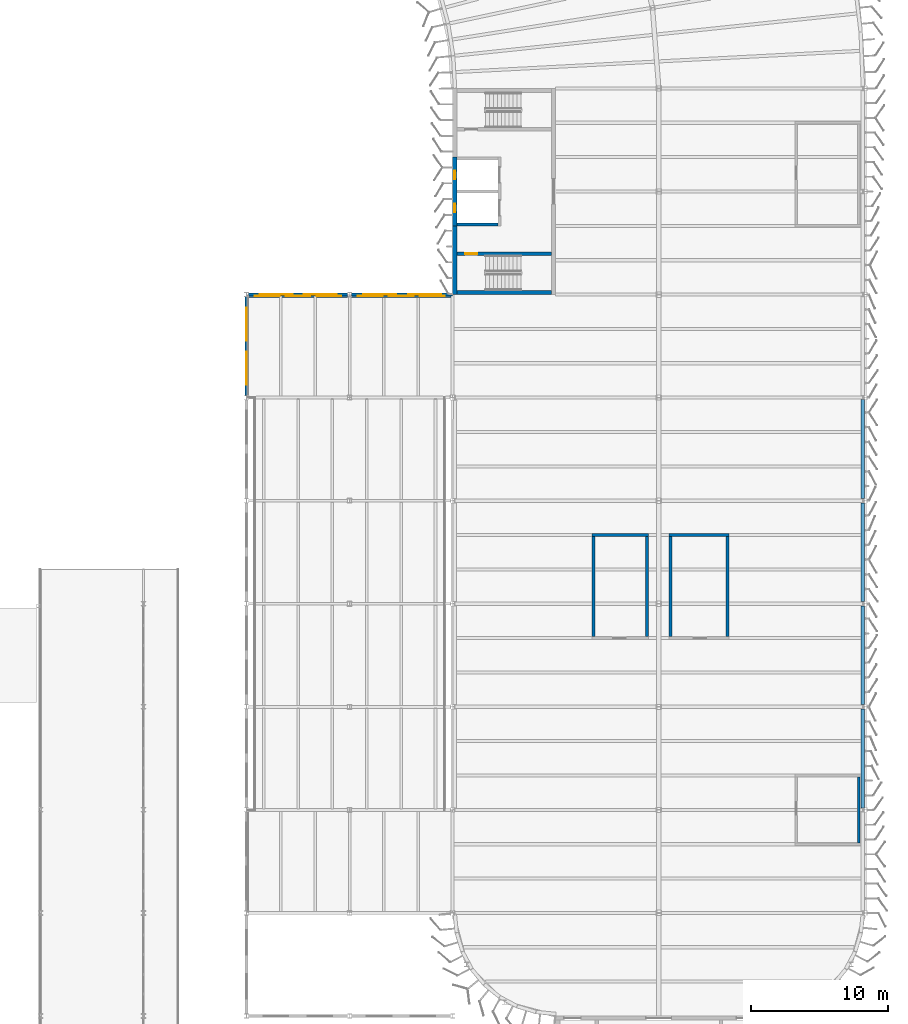
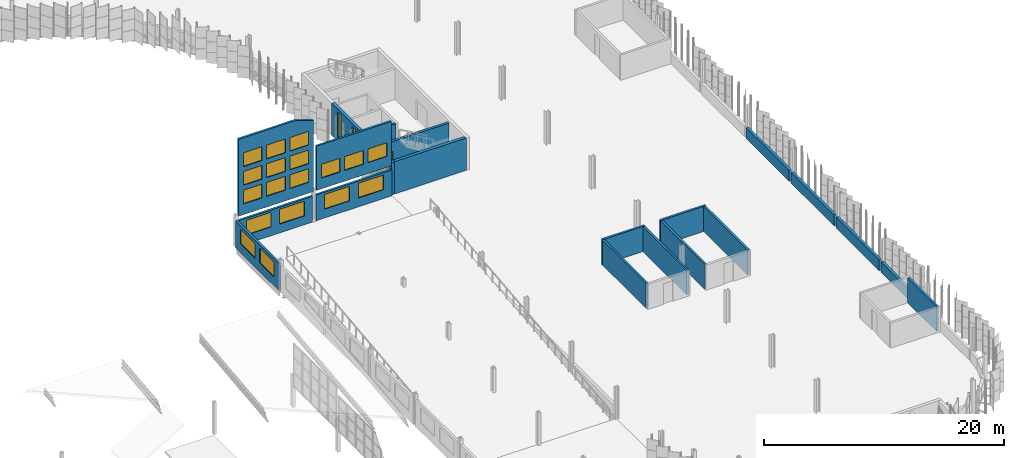
"""IFC4 building model written with IfcOpenShell, lengths in metres."""

from ifc_helpers import new_model, si_unit, direction, frame, frame_2d, origin, place, context, subcontext, project, spatial, polyline, rectangle, outline, extrude, material, layer, layer_set, type_object, element, fill, save


model = new_model("IFC4")

# Units and contexts
model_context = context("Model", 3, precision=1e-05, world=origin(), true_north=direction((0.0, 1.0)))
body_context = subcontext(model_context, "Body", "Model", "MODEL_VIEW")
ifc_project = project(units=[si_unit("LENGTHUNIT", "METRE"), si_unit("AREAUNIT", "SQUARE_METRE"), si_unit("VOLUMEUNIT", "CUBIC_METRE"), si_unit("PLANEANGLEUNIT", "RADIAN"), si_unit("MASSUNIT", "GRAM", prefix="KILO")], contexts=[model_context])

# Site, building, storey
site_placement = place(None, origin())
site = spatial("IfcSite", under=ifc_project, at=site_placement, CompositionType="ELEMENT")
building_placement = place(site_placement, origin())
building = spatial("IfcBuilding", under=site, at=building_placement, Name="Parallax Yard Mobility Hub", CompositionType="ELEMENT")
storey_1_placement = place(building_placement, frame((0.0, 0.0, 9.89990234375)))
storey_1 = spatial("IfcBuildingStorey", under=building, at=storey_1_placement, Name="L03", CompositionType="ELEMENT", Elevation=9.89990234375)

# Wall
ifc_material_1 = material(Name="Concrete fc' 35 MPa", Category="concrete")
ifc_layer_1 = layer(ifc_material_1, 0.300048828125)
ifc_layer_set_1 = layer_set([ifc_layer_1], Name="Concrete fc' 35 MPa core wall 300")
wall_type_1 = type_object("IfcWallType", Name="Concrete fc' 35 MPa core wall 300", PredefinedType="SHEAR", material=ifc_layer_set_1)
wall_1_placement = place(storey_1_placement, frame((195.14990234375, 75.0, 0.0), z_axis=(0.0, 0.0, 1.0), x_axis=(0.0, 1.0, 0.0)))
element("IfcWall", 1, at=wall_1_placement, inside=storey_1, type_object=wall_type_1, Name="Core C-E back wall part 1 level L03", PredefinedType="SHEAR", context=body_context, shape_type="SweptSolid", body=[
    extrude(rectangle(XDim=5.0, YDim=0.300048828125, at=frame_2d((2.5, 0.0))), origin(), (0.0, 0.0, 1.0), 3.300048828125),
])

# Wall, openings, windows
wall_2_placement = place(storey_1_placement, frame((195.14990234375, 80.0, 0.0), z_axis=(0.0, 0.0, 1.0), x_axis=(0.0, 1.0, 0.0)))
wall_2 = element("IfcWall", 2, at=wall_2_placement, inside=storey_1, type_object=wall_type_1, Name="Core C-E back wall part 2 level L03", PredefinedType="SHEAR", context=body_context, shape_type="SweptSolid", body=[
    extrude(rectangle(XDim=5.0, YDim=0.300048828125, at=frame_2d((2.5, 0.0))), origin(), (0.0, 0.0, 1.0), 3.300048828125),
])
opening_1_placement = place(wall_2_placement, frame((1.0, 0.0, 0.300048828125)))
opening_1 = element("IfcOpeningElement", 3, at=opening_1_placement, cuts=wall_2, Name="Opening CW-S1", PredefinedType="OPENING", context=body_context, shape_type="SweptSolid", body=[
    extrude(rectangle(XDim=0.60009765625, YDim=2.699951171875, at=frame_2d((0.300048828125, 1.35009765625))), frame((0.0, 0.16015625, 0.0), z_axis=(0.0, -1.0, 0.0), x_axis=(1.0, 0.0, 0.0)), (0.0, 0.0, 1.0), 0.320068359375),
])
opening_2_placement = place(wall_2_placement, frame((3.39990234375, 0.0, 0.300048828125)))
opening_2 = element("IfcOpeningElement", 4, at=opening_2_placement, cuts=wall_2, Name="Opening CW-S1", PredefinedType="OPENING", context=body_context, shape_type="SweptSolid", body=[
    extrude(rectangle(XDim=0.60009765625, YDim=2.699951171875, at=frame_2d((0.300048828125, 1.35009765625))), frame((0.0, 0.16015625, 0.0), z_axis=(0.0, -1.0, 0.0), x_axis=(1.0, 0.0, 0.0)), (0.0, 0.0, 1.0), 0.320068359375),
])
ifc_material_2 = material(Name="Fire-resisting glazing in a steel frame", Category="steel")
window_type_1 = type_object("IfcWindowType", Name="Core slot window 600 x 2700", PartitioningType="SINGLE_PANEL", PredefinedType="WINDOW", material=ifc_material_2)
window_1_placement = place(opening_1_placement, origin())
window_1 = element("IfcWindow", 5, at=window_1_placement, inside=storey_1, type_object=window_type_1, Name="Glazed slot 1, core C-E level L03", OverallHeight=2.699951171875, OverallWidth=0.60009765625, PartitioningType="SINGLE_PANEL", PredefinedType="WINDOW", context=body_context, shape_type="SweptSolid", body=[
    extrude(rectangle(XDim=0.60009765625, YDim=2.699951171875, at=frame_2d((0.300048828125, 1.35009765625))), frame((0.0, 0.030029296875, 0.0), z_axis=(0.0, -1.0, 0.0), x_axis=(1.0, 0.0, 0.0)), (0.0, 0.0, 1.0), 0.06005859375),
])
fill(opening_1, window_1)
window_2_placement = place(opening_2_placement, origin())
window_2 = element("IfcWindow", 6, at=window_2_placement, inside=storey_1, type_object=window_type_1, Name="Glazed slot 2, core C-E level L03", OverallHeight=2.699951171875, OverallWidth=0.60009765625, PartitioningType="SINGLE_PANEL", PredefinedType="WINDOW", context=body_context, shape_type="SweptSolid", body=[
    extrude(rectangle(XDim=0.60009765625, YDim=2.699951171875, at=frame_2d((0.300048828125, 1.35009765625))), frame((0.0, 0.030029296875, 0.0), z_axis=(0.0, -1.0, 0.0), x_axis=(1.0, 0.0, 0.0)), (0.0, 0.0, 1.0), 0.06005859375),
])
fill(opening_2, window_2)

# Walls
wall_3_placement = place(storey_1_placement, frame((202.199951171875, 75.14990234375, 0.0), z_axis=(0.0, 0.0, 1.0), x_axis=(-1.0, 0.0, 0.0)))
element("IfcWall", 7, at=wall_3_placement, inside=storey_1, type_object=wall_type_1, Name="Core C-E west-side end wall level L03", PredefinedType="SHEAR", context=body_context, shape_type="SweptSolid", body=[
    extrude(rectangle(XDim=6.89990234375, YDim=0.300048828125, at=frame_2d((3.449951171875, 0.0))), origin(), (0.0, 0.0, 1.0), 3.300048828125),
])
ifc_layer_2 = layer(ifc_material_1, 0.199951171875)
ifc_layer_set_2 = layer_set([ifc_layer_2], Name="Concrete fc' 35 MPa internal core wall 200")
wall_type_2 = type_object("IfcWallType", Name="Concrete fc' 35 MPa internal core wall 200", PredefinedType="STANDARD", material=ifc_layer_set_2)
wall_4_placement = place(storey_1_placement, frame((198.300048828125, 80.10009765625, 0.0), z_axis=(0.0, 0.0, 1.0), x_axis=(-1.0, 0.0, 0.0)))
element("IfcWall", 8, at=wall_4_placement, inside=storey_1, type_object=wall_type_2, Name="Core C-E lift wall 1 part 1 level L03", PredefinedType="STANDARD", context=body_context, shape_type="SweptSolid", body=[
    extrude(rectangle(XDim=3.0, YDim=0.199951171875, at=frame_2d((1.5, 0.0))), origin(), (0.0, 0.0, 1.0), 3.10009765625),
])

# Wall, opening, door
ifc_layer_3 = layer(ifc_material_1, 0.25)
ifc_layer_set_3 = layer_set([ifc_layer_3], Name="Concrete fc' 35 MPa stair enclosure wall 250")
wall_type_3 = type_object("IfcWallType", Name="Concrete fc' 35 MPa stair enclosure wall 250", PredefinedType="STANDARD", material=ifc_layer_set_3)
wall_5_placement = place(storey_1_placement, frame((202.199951171875, 77.97509765625, 0.0), z_axis=(0.0, 0.0, 1.0), x_axis=(-1.0, 0.0, 0.0)))
wall_5 = element("IfcWall", 9, at=wall_5_placement, inside=storey_1, type_object=wall_type_3, Name="Core C-E stair 1 partition level L03", PredefinedType="STANDARD", context=body_context, shape_type="SweptSolid", body=[
    extrude(rectangle(XDim=6.89990234375, YDim=0.25, at=frame_2d((3.449951171875, 0.0))), origin(), (0.0, 0.0, 1.0), 3.10009765625),
])
opening_3_placement = place(wall_5_placement, frame((5.39990234375, 0.0, 0.0)))
opening_3 = element("IfcOpeningElement", 10, at=opening_3_placement, cuts=wall_5, Name="Opening L03-D720", PredefinedType="OPENING", context=body_context, shape_type="SweptSolid", body=[
    extrude(rectangle(XDim=0.89990234375, YDim=2.10009765625, at=frame_2d((0.449951171875, 1.050048828125))), frame((0.0, 0.135009765625, 0.0), z_axis=(0.0, -1.0, 0.0), x_axis=(1.0, 0.0, 0.0)), (0.0, 0.0, 1.0), 0.27001953125),
])
ifc_material_3 = material(Name="Hollow metal steel door and frame", Category="steel")
door_type = type_object("IfcDoorType", Name="Core door 900 x 2100 FD90", OperationType="NOTDEFINED", PredefinedType="DOOR", material=ifc_material_3)
door_placement = place(opening_3_placement, origin())
door = element("IfcDoor", 11, at=door_placement, inside=storey_1, type_object=door_type, Name="Stair lobby door L03-D720, core C-E level L03", OperationType="SINGLE_SWING_LEFT", OverallHeight=2.10009765625, OverallWidth=0.89990234375, PredefinedType="DOOR", context=body_context, shape_type="SweptSolid", body=[
    extrude(rectangle(XDim=0.89990234375, YDim=2.10009765625, at=frame_2d((0.449951171875, 1.050048828125))), frame((0.0, 0.02490234375, 0.0), z_axis=(0.0, -1.0, 0.0), x_axis=(1.0, 0.0, 0.0)), (0.0, 0.0, 1.0), 0.050048828125),
])
fill(opening_3, door)

# Walls
ifc_layer_4 = layer(ifc_material_1, 0.25)
ifc_layer_set_4 = layer_set([ifc_layer_4], Name="Deck-edge barrier wall, Concrete fc' 35 MPa precast, 250")
wall_type_4 = type_object("IfcWallType", Name="Deck-edge barrier wall, Concrete fc' 35 MPa precast, 250", PredefinedType="SOLIDWALL", material=ifc_layer_set_4)
for number, where, z_axis, x_axis, name in (
    (12, (224.854248046875, 37.651611328125, 0.0), (0.0, 0.0, 1.0), (0.0, 1.0, 0.0), "Deck-edge barrier wall bay 34 level L03"),
    (13, (224.854248046875, 45.151611328125, 0.0), (0.0, 0.0, 1.0), (0.0, 1.0, 0.0), "Deck-edge barrier wall bay 35 level L03"),
    (14, (224.854248046875, 52.651611328125, 0.0), (0.0, 0.0, 1.0), (0.0, 1.0, 0.0), "Deck-edge barrier wall bay 36 level L03"),
    (15, (224.854248046875, 60.151611328125, 0.0), (0.0, 0.0, 1.0), (0.0, 1.0, 0.0), "Deck-edge barrier wall bay 37 level L03"),
):
    element("IfcWall", number, at=place(storey_1_placement, frame(where, z_axis=z_axis, x_axis=x_axis)), inside=storey_1, type_object=wall_type_4, Name=name, PredefinedType="SOLIDWALL", context=body_context, shape_type="SweptSolid", body=[
        extrude(rectangle(XDim=7.19677734375, YDim=0.25, at=frame_2d((3.598388671875, 0.0))), origin(), (0.0, 0.0, 1.0), 1.10009765625),
    ])
ifc_material_4 = material(Name="Fire-rated plasterboard partition, two layers each side")
ifc_layer_5 = layer(ifc_material_4, 0.199951171875)
ifc_layer_set_5 = layer_set([ifc_layer_5], Name="Fire-rated partition 200 mm")
wall_type_5 = type_object("IfcWallType", Name="Fire-rated partition 200 mm", PredefinedType="PARTITIONING", material=ifc_layer_set_5)
wall_6_placement = place(storey_1_placement, frame((205.14990234375, 57.5, 0.0), z_axis=(0.0, 0.0, 1.0), x_axis=(1.0, 0.0, 0.0)))
element("IfcWall", 16, at=wall_6_placement, inside=storey_1, type_object=wall_type_5, Name="Partition 13 level L03", PredefinedType="PARTITIONING", context=body_context, shape_type="SweptSolid", body=[
    extrude(rectangle(XDim=4.10009765625, YDim=0.199951171875, at=frame_2d((2.050048828125, 0.0))), origin(), (0.0, 0.0, 1.0), 2.55810546875),
])
wall_7_placement = place(storey_1_placement, frame((210.75, 57.5, 0.0), z_axis=(0.0, 0.0, 1.0), x_axis=(1.0, 0.0, 0.0)))
element("IfcWall", 17, at=wall_7_placement, inside=storey_1, type_object=wall_type_5, Name="Partition 14 level L03", PredefinedType="PARTITIONING", context=body_context, shape_type="SweptSolid", body=[
    extrude(rectangle(XDim=4.35009765625, YDim=0.199951171875, at=frame_2d((2.175048828125, 0.0))), origin(), (0.0, 0.0, 1.0), 2.55810546875),
])
for number, where, z_axis, x_axis, name in (
    (18, (205.25, 50.10009765625, 0.0), (0.0, 0.0, 1.0), (0.0, 1.0, 0.0), "Partition 42 level L03"),
    (19, (209.14990234375, 50.10009765625, 0.0), (0.0, 0.0, 1.0), (0.0, 1.0, 0.0), "Partition 43 level L03"),
    (20, (210.85009765625, 50.10009765625, 0.0), (0.0, 0.0, 1.0), (0.0, 1.0, 0.0), "Partition 44 level L03"),
    (21, (215.0, 50.10009765625, 0.0), (0.0, 0.0, 1.0), (0.0, 1.0, 0.0), "Partition 45 level L03"),
):
    element("IfcWall", number, at=place(storey_1_placement, frame(where, z_axis=z_axis, x_axis=x_axis)), inside=storey_1, type_object=wall_type_5, Name=name, PredefinedType="PARTITIONING", context=body_context, shape_type="SweptSolid", body=[
        extrude(rectangle(XDim=7.2998046875, YDim=0.199951171875, at=frame_2d((3.64990234375, 0.0))), origin(), (0.0, 0.0, 1.0), 2.548095703125),
    ])
wall_8_placement = place(storey_1_placement, frame((224.550048828125, 35.10009765625, 0.0), z_axis=(0.0, 0.0, 1.0), x_axis=(0.0, 1.0, 0.0)))
element("IfcWall", 22, at=wall_8_placement, inside=storey_1, type_object=wall_type_5, Name="Partition 48 level L03", PredefinedType="PARTITIONING", context=body_context, shape_type="SweptSolid", body=[
    extrude(rectangle(XDim=4.7998046875, YDim=0.199951171875, at=frame_2d((2.39990234375, 0.0))), origin(), (0.0, 0.0, 1.0), 2.548095703125),
])

# Wall, openings, windows
ifc_layer_6 = layer(ifc_material_1, 0.199951171875)
ifc_layer_set_6 = layer_set([ifc_layer_6], Name="Louvre screen wall, Concrete fc' 35 MPa precast, 200")
wall_type_6 = type_object("IfcWallType", Name="Louvre screen wall, Concrete fc' 35 MPa precast, 200", PredefinedType="SOLIDWALL", material=ifc_layer_set_6)
wall_9_placement = place(storey_1_placement, frame((180.0, 67.653564453125, 0.0), z_axis=(0.0, 0.0, 1.0), x_axis=(0.0, 1.0, 0.0)))
wall_9 = element("IfcWall", 23, at=wall_9_placement, inside=storey_1, type_object=wall_type_6, Name="Ramp house west wall bay 7 level L03", PredefinedType="SOLIDWALL", context=body_context, shape_type="SweptSolid", body=[
    extrude(rectangle(XDim=7.19287109375, YDim=0.199951171875, at=frame_2d((3.596435546875, 0.0))), origin(), (0.0, 0.0, 1.0), 2.754150390625),
])
opening_4_placement = place(wall_9_placement, frame((0.797607421875, 0.0, 0.89990234375)))
opening_4 = element("IfcOpeningElement", 24, at=opening_4_placement, cuts=wall_9, Name="Opening W1", PredefinedType="OPENING", context=body_context, shape_type="SweptSolid", body=[
    extrude(rectangle(XDim=2.39990234375, YDim=1.5, at=frame_2d((1.199951171875, 0.75))), frame((0.0, 0.10986328125, 0.0), z_axis=(0.0, -1.0, 0.0), x_axis=(1.0, 0.0, 0.0)), (0.0, 0.0, 1.0), 0.219970703125),
])
opening_5_placement = place(wall_9_placement, frame((3.995361328125, 0.0, 0.89990234375)))
opening_5 = element("IfcOpeningElement", 25, at=opening_5_placement, cuts=wall_9, Name="Opening W1", PredefinedType="OPENING", context=body_context, shape_type="SweptSolid", body=[
    extrude(rectangle(XDim=2.39990234375, YDim=1.5, at=frame_2d((1.199951171875, 0.75))), frame((0.0, 0.10986328125, 0.0), z_axis=(0.0, -1.0, 0.0), x_axis=(1.0, 0.0, 0.0)), (0.0, 0.0, 1.0), 0.219970703125),
])
ifc_material_5 = material(Name="Double glazed low-E unit in thermally broken aluminium frame", Category="aluminium")
window_type_2 = type_object("IfcWindowType", Name="Window 2400 x 1500", PartitioningType="DOUBLE_PANEL_VERTICAL", PredefinedType="WINDOW", material=ifc_material_5)
window_3_placement = place(opening_4_placement, origin())
window_3 = element("IfcWindow", 26, at=window_3_placement, inside=storey_1, type_object=window_type_2, Name="Window W1 level L03", OverallHeight=1.5, OverallWidth=2.39990234375, PartitioningType="DOUBLE_PANEL_VERTICAL", PredefinedType="WINDOW", context=body_context, shape_type="SweptSolid", body=[
    extrude(rectangle(XDim=2.39990234375, YDim=1.5, at=frame_2d((1.199951171875, 0.75))), frame((0.0, 0.030029296875, 0.0), z_axis=(0.0, -1.0, 0.0), x_axis=(1.0, 0.0, 0.0)), (0.0, 0.0, 1.0), 0.06005859375),
])
fill(opening_4, window_3)
window_4_placement = place(opening_5_placement, origin())
window_4 = element("IfcWindow", 27, at=window_4_placement, inside=storey_1, type_object=window_type_2, Name="Window W1 level L03", OverallHeight=1.5, OverallWidth=2.39990234375, PartitioningType="DOUBLE_PANEL_VERTICAL", PredefinedType="WINDOW", context=body_context, shape_type="SweptSolid", body=[
    extrude(rectangle(XDim=2.39990234375, YDim=1.5, at=frame_2d((1.199951171875, 0.75))), frame((0.0, 0.030029296875, 0.0), z_axis=(0.0, -1.0, 0.0), x_axis=(1.0, 0.0, 0.0)), (0.0, 0.0, 1.0), 0.06005859375),
])
fill(opening_5, window_4)

wall_10_placement = place(storey_1_placement, frame((180.153564453125, 75.0, 0.0), z_axis=(0.0, 0.0, 1.0), x_axis=(1.0, 0.0, 0.0)))
wall_10 = element("IfcWall", 28, at=wall_10_placement, inside=storey_1, type_object=wall_type_6, Name="Ramp house north wall bay 1 level L03", PredefinedType="SOLIDWALL", context=body_context, shape_type="SweptSolid", body=[
    extrude(rectangle(XDim=7.19287109375, YDim=0.199951171875, at=frame_2d((3.596435546875, 0.0))), origin(), (0.0, 0.0, 1.0), 2.627197265625),
])
opening_6_placement = place(wall_10_placement, frame((0.797607421875, 0.0, 0.89990234375)))
opening_6 = element("IfcOpeningElement", 29, at=opening_6_placement, cuts=wall_10, Name="Opening W1", PredefinedType="OPENING", context=body_context, shape_type="SweptSolid", body=[
    extrude(rectangle(XDim=2.39990234375, YDim=1.5, at=frame_2d((1.199951171875, 0.75))), frame((0.0, 0.10986328125, 0.0), z_axis=(0.0, -1.0, 0.0), x_axis=(1.0, 0.0, 0.0)), (0.0, 0.0, 1.0), 0.219970703125),
])
opening_7_placement = place(wall_10_placement, frame((3.995361328125, 0.0, 0.89990234375)))
opening_7 = element("IfcOpeningElement", 30, at=opening_7_placement, cuts=wall_10, Name="Opening W1", PredefinedType="OPENING", context=body_context, shape_type="SweptSolid", body=[
    extrude(rectangle(XDim=2.39990234375, YDim=1.5, at=frame_2d((1.199951171875, 0.75))), frame((0.0, 0.10986328125, 0.0), z_axis=(0.0, -1.0, 0.0), x_axis=(1.0, 0.0, 0.0)), (0.0, 0.0, 1.0), 0.219970703125),
])
window_5_placement = place(opening_6_placement, origin())
window_5 = element("IfcWindow", 31, at=window_5_placement, inside=storey_1, type_object=window_type_2, Name="Window W1 level L03", OverallHeight=1.5, OverallWidth=2.39990234375, PartitioningType="DOUBLE_PANEL_VERTICAL", PredefinedType="WINDOW", context=body_context, shape_type="SweptSolid", body=[
    extrude(rectangle(XDim=2.39990234375, YDim=1.5, at=frame_2d((1.199951171875, 0.75))), frame((0.0, 0.030029296875, 0.0), z_axis=(0.0, -1.0, 0.0), x_axis=(1.0, 0.0, 0.0)), (0.0, 0.0, 1.0), 0.06005859375),
])
fill(opening_6, window_5)
window_6_placement = place(opening_7_placement, origin())
window_6 = element("IfcWindow", 32, at=window_6_placement, inside=storey_1, type_object=window_type_2, Name="Window W1 level L03", OverallHeight=1.5, OverallWidth=2.39990234375, PartitioningType="DOUBLE_PANEL_VERTICAL", PredefinedType="WINDOW", context=body_context, shape_type="SweptSolid", body=[
    extrude(rectangle(XDim=2.39990234375, YDim=1.5, at=frame_2d((1.199951171875, 0.75))), frame((0.0, 0.030029296875, 0.0), z_axis=(0.0, -1.0, 0.0), x_axis=(1.0, 0.0, 0.0)), (0.0, 0.0, 1.0), 0.06005859375),
])
fill(opening_7, window_6)

wall_11_placement = place(storey_1_placement, frame((187.653564453125, 75.0, 0.0), z_axis=(0.0, 0.0, 1.0), x_axis=(1.0, 0.0, 0.0)))
wall_11 = element("IfcWall", 33, at=wall_11_placement, inside=storey_1, type_object=wall_type_6, Name="Ramp house north wall bay 2 level L03", PredefinedType="SOLIDWALL", context=body_context, shape_type="SweptSolid", body=[
    extrude(rectangle(XDim=7.346435546875, YDim=0.199951171875, at=frame_2d((3.67333984375, 0.0))), origin(), (0.0, 0.0, 1.0), 2.627197265625),
])
opening_8_placement = place(wall_11_placement, frame((0.848876953125, 0.0, 0.89990234375)))
opening_8 = element("IfcOpeningElement", 34, at=opening_8_placement, cuts=wall_11, Name="Opening W1", PredefinedType="OPENING", context=body_context, shape_type="SweptSolid", body=[
    extrude(rectangle(XDim=2.39990234375, YDim=1.5, at=frame_2d((1.199951171875, 0.75))), frame((0.0, 0.10986328125, 0.0), z_axis=(0.0, -1.0, 0.0), x_axis=(1.0, 0.0, 0.0)), (0.0, 0.0, 1.0), 0.219970703125),
])
opening_9_placement = place(wall_11_placement, frame((4.09765625, 0.0, 0.89990234375)))
opening_9 = element("IfcOpeningElement", 35, at=opening_9_placement, cuts=wall_11, Name="Opening W1", PredefinedType="OPENING", context=body_context, shape_type="SweptSolid", body=[
    extrude(rectangle(XDim=2.39990234375, YDim=1.5, at=frame_2d((1.199951171875, 0.75))), frame((0.0, 0.10986328125, 0.0), z_axis=(0.0, -1.0, 0.0), x_axis=(1.0, 0.0, 0.0)), (0.0, 0.0, 1.0), 0.219970703125),
])
window_7_placement = place(opening_8_placement, origin())
window_7 = element("IfcWindow", 36, at=window_7_placement, inside=storey_1, type_object=window_type_2, Name="Window W1 level L03", OverallHeight=1.5, OverallWidth=2.39990234375, PartitioningType="DOUBLE_PANEL_VERTICAL", PredefinedType="WINDOW", context=body_context, shape_type="SweptSolid", body=[
    extrude(rectangle(XDim=2.39990234375, YDim=1.5, at=frame_2d((1.199951171875, 0.75))), frame((0.0, 0.030029296875, 0.0), z_axis=(0.0, -1.0, 0.0), x_axis=(1.0, 0.0, 0.0)), (0.0, 0.0, 1.0), 0.06005859375),
])
fill(opening_8, window_7)
window_8_placement = place(opening_9_placement, origin())
window_8 = element("IfcWindow", 37, at=window_8_placement, inside=storey_1, type_object=window_type_2, Name="Window W1 level L03", OverallHeight=1.5, OverallWidth=2.39990234375, PartitioningType="DOUBLE_PANEL_VERTICAL", PredefinedType="WINDOW", context=body_context, shape_type="SweptSolid", body=[
    extrude(rectangle(XDim=2.39990234375, YDim=1.5, at=frame_2d((1.199951171875, 0.75))), frame((0.0, 0.030029296875, 0.0), z_axis=(0.0, -1.0, 0.0), x_axis=(1.0, 0.0, 0.0)), (0.0, 0.0, 1.0), 0.06005859375),
])
fill(opening_9, window_8)

# Wall, openings
wall_12_placement = place(storey_1_placement, frame((180.153564453125, 74.889892578125, 3.16015625), z_axis=(0.0, 0.0, 1.0), x_axis=(1.0, 0.0, 0.0)))
wall_12 = element("IfcWall", 38, at=wall_12_placement, inside=storey_1, type_object=wall_type_6, Name="Ramp house north end wall bay 1 level L04", PredefinedType="SOLIDWALL", context=body_context, shape_type="SweptSolid", body=[
    extrude(outline(polyline([(0.0, 0.0), (7.19287109375, 0.0), (7.193115234375, 7.266845703125), (6.945068359375, 7.349609375), (6.200927734375, 7.59765625), (5.952880859375, 7.68017578125), (5.456787109375, 7.845703125), (5.208740234375, 7.847412109375), (0.0, 7.847412109375), (0.0, 0.0)])), frame((0.0, 0.10009765625, 0.0), z_axis=(0.0, -1.0, 0.0), x_axis=(1.0, 0.0, 0.0)), (0.0, 0.0, 1.0), 0.199951171875),
])
opening_10_placement = place(wall_12_placement, frame((0.4482421875, 0.0, 1.10009765625)))
opening_10 = element("IfcOpeningElement", 39, at=opening_10_placement, cuts=wall_12, Name="Opening LV2", PredefinedType="OPENING", context=body_context, shape_type="SweptSolid", body=[
    extrude(rectangle(XDim=1.800048828125, YDim=1.39990234375, at=frame_2d((0.89990234375, 0.699951171875))), frame((0.0, 0.10986328125, 0.0), z_axis=(0.0, -1.0, 0.0), x_axis=(1.0, 0.0, 0.0)), (0.0, 0.0, 1.0), 0.219970703125),
])
opening_11_placement = place(wall_12_placement, frame((2.696533203125, 0.0, 1.10009765625)))
opening_11 = element("IfcOpeningElement", 40, at=opening_11_placement, cuts=wall_12, Name="Opening LV2", PredefinedType="OPENING", context=body_context, shape_type="SweptSolid", body=[
    extrude(rectangle(XDim=1.800048828125, YDim=1.39990234375, at=frame_2d((0.89990234375, 0.699951171875))), frame((0.0, 0.10986328125, 0.0), z_axis=(0.0, -1.0, 0.0), x_axis=(1.0, 0.0, 0.0)), (0.0, 0.0, 1.0), 0.219970703125),
])
opening_12_placement = place(wall_12_placement, frame((4.944580078125, 0.0, 1.10009765625)))
opening_12 = element("IfcOpeningElement", 41, at=opening_12_placement, cuts=wall_12, Name="Opening LV2", PredefinedType="OPENING", context=body_context, shape_type="SweptSolid", body=[
    extrude(rectangle(XDim=1.800048828125, YDim=1.39990234375, at=frame_2d((0.89990234375, 0.699951171875))), frame((0.0, 0.10986328125, 0.0), z_axis=(0.0, -1.0, 0.0), x_axis=(1.0, 0.0, 0.0)), (0.0, 0.0, 1.0), 0.219970703125),
])
opening_13_placement = place(wall_12_placement, frame((0.4482421875, 0.0, 3.0)))
opening_13 = element("IfcOpeningElement", 42, at=opening_13_placement, cuts=wall_12, Name="Opening LV2", PredefinedType="OPENING", context=body_context, shape_type="SweptSolid", body=[
    extrude(rectangle(XDim=1.800048828125, YDim=1.39990234375, at=frame_2d((0.89990234375, 0.699951171875))), frame((0.0, 0.10986328125, 0.0), z_axis=(0.0, -1.0, 0.0), x_axis=(1.0, 0.0, 0.0)), (0.0, 0.0, 1.0), 0.219970703125),
])
opening_14_placement = place(wall_12_placement, frame((2.696533203125, 0.0, 3.0)))
opening_14 = element("IfcOpeningElement", 43, at=opening_14_placement, cuts=wall_12, Name="Opening LV2", PredefinedType="OPENING", context=body_context, shape_type="SweptSolid", body=[
    extrude(rectangle(XDim=1.800048828125, YDim=1.39990234375, at=frame_2d((0.89990234375, 0.699951171875))), frame((0.0, 0.10986328125, 0.0), z_axis=(0.0, -1.0, 0.0), x_axis=(1.0, 0.0, 0.0)), (0.0, 0.0, 1.0), 0.219970703125),
])
opening_15_placement = place(wall_12_placement, frame((4.944580078125, 0.0, 3.0)))
opening_15 = element("IfcOpeningElement", 44, at=opening_15_placement, cuts=wall_12, Name="Opening LV2", PredefinedType="OPENING", context=body_context, shape_type="SweptSolid", body=[
    extrude(rectangle(XDim=1.800048828125, YDim=1.39990234375, at=frame_2d((0.89990234375, 0.699951171875))), frame((0.0, 0.10986328125, 0.0), z_axis=(0.0, -1.0, 0.0), x_axis=(1.0, 0.0, 0.0)), (0.0, 0.0, 1.0), 0.219970703125),
])
opening_16_placement = place(wall_12_placement, frame((0.4482421875, 0.0, 4.89990234375)))
opening_16 = element("IfcOpeningElement", 45, at=opening_16_placement, cuts=wall_12, Name="Opening LV2", PredefinedType="OPENING", context=body_context, shape_type="SweptSolid", body=[
    extrude(rectangle(XDim=1.800048828125, YDim=1.39990234375, at=frame_2d((0.89990234375, 0.699951171875))), frame((0.0, 0.10986328125, 0.0), z_axis=(0.0, -1.0, 0.0), x_axis=(1.0, 0.0, 0.0)), (0.0, 0.0, 1.0), 0.219970703125),
])
opening_17_placement = place(wall_12_placement, frame((2.696533203125, 0.0, 4.89990234375)))
opening_17 = element("IfcOpeningElement", 46, at=opening_17_placement, cuts=wall_12, Name="Opening LV2", PredefinedType="OPENING", context=body_context, shape_type="SweptSolid", body=[
    extrude(rectangle(XDim=1.800048828125, YDim=1.39990234375, at=frame_2d((0.89990234375, 0.699951171875))), frame((0.0, 0.10986328125, 0.0), z_axis=(0.0, -1.0, 0.0), x_axis=(1.0, 0.0, 0.0)), (0.0, 0.0, 1.0), 0.219970703125),
])
opening_18_placement = place(wall_12_placement, frame((4.944580078125, 0.0, 4.89990234375)))
opening_18 = element("IfcOpeningElement", 47, at=opening_18_placement, cuts=wall_12, Name="Opening LV2", PredefinedType="OPENING", context=body_context, shape_type="SweptSolid", body=[
    extrude(rectangle(XDim=1.800048828125, YDim=1.39990234375, at=frame_2d((0.89990234375, 0.699951171875))), frame((0.0, 0.10986328125, 0.0), z_axis=(0.0, -1.0, 0.0), x_axis=(1.0, 0.0, 0.0)), (0.0, 0.0, 1.0), 0.219970703125),
])

# Storey
storey_2_placement = place(building_placement, frame((0.0, 0.0, 13.199951171875)))
storey_2 = spatial("IfcBuildingStorey", under=building, at=storey_2_placement, Name="L04", CompositionType="ELEMENT", Elevation=13.199951171875)

# Window
ifc_material_6 = material(Name="Extruded aluminium storm louvre blades in a powder-coated frame", Category="aluminium")
window_type_3 = type_object("IfcWindowType", Name="Screen louvre 1800 x 1400", PartitioningType="SINGLE_PANEL", PredefinedType="WINDOW", material=ifc_material_6)
window_9_placement = place(opening_10_placement, origin())
window_9 = element("IfcWindow", 48, at=window_9_placement, inside=storey_2, type_object=window_type_3, Name="LV2 louvre level L04", OverallHeight=1.39990234375, OverallWidth=1.800048828125, PartitioningType="SINGLE_PANEL", PredefinedType="WINDOW", context=body_context, shape_type="SweptSolid", body=[
    extrude(rectangle(XDim=1.800048828125, YDim=1.39990234375, at=frame_2d((0.89990234375, 0.699951171875))), frame((0.0, 0.030029296875, 0.0), z_axis=(0.0, -1.0, 0.0), x_axis=(1.0, 0.0, 0.0)), (0.0, 0.0, 1.0), 0.06005859375),
])

fill(opening_10, window_9)

window_10_placement = place(opening_11_placement, origin())
window_10 = element("IfcWindow", 49, at=window_10_placement, inside=storey_2, type_object=window_type_3, Name="LV2 louvre level L04", OverallHeight=1.39990234375, OverallWidth=1.800048828125, PartitioningType="SINGLE_PANEL", PredefinedType="WINDOW", context=body_context, shape_type="SweptSolid", body=[
    extrude(rectangle(XDim=1.800048828125, YDim=1.39990234375, at=frame_2d((0.89990234375, 0.699951171875))), frame((0.0, 0.030029296875, 0.0), z_axis=(0.0, -1.0, 0.0), x_axis=(1.0, 0.0, 0.0)), (0.0, 0.0, 1.0), 0.06005859375),
])

fill(opening_11, window_10)

window_11_placement = place(opening_12_placement, origin())
window_11 = element("IfcWindow", 50, at=window_11_placement, inside=storey_2, type_object=window_type_3, Name="LV2 louvre level L04", OverallHeight=1.39990234375, OverallWidth=1.800048828125, PartitioningType="SINGLE_PANEL", PredefinedType="WINDOW", context=body_context, shape_type="SweptSolid", body=[
    extrude(rectangle(XDim=1.800048828125, YDim=1.39990234375, at=frame_2d((0.89990234375, 0.699951171875))), frame((0.0, 0.030029296875, 0.0), z_axis=(0.0, -1.0, 0.0), x_axis=(1.0, 0.0, 0.0)), (0.0, 0.0, 1.0), 0.06005859375),
])

fill(opening_12, window_11)

window_12_placement = place(opening_13_placement, origin())
window_12 = element("IfcWindow", 51, at=window_12_placement, inside=storey_2, type_object=window_type_3, Name="LV2 louvre level L04", OverallHeight=1.39990234375, OverallWidth=1.800048828125, PartitioningType="SINGLE_PANEL", PredefinedType="WINDOW", context=body_context, shape_type="SweptSolid", body=[
    extrude(rectangle(XDim=1.800048828125, YDim=1.39990234375, at=frame_2d((0.89990234375, 0.699951171875))), frame((0.0, 0.030029296875, 0.0), z_axis=(0.0, -1.0, 0.0), x_axis=(1.0, 0.0, 0.0)), (0.0, 0.0, 1.0), 0.06005859375),
])

fill(opening_13, window_12)

window_13_placement = place(opening_14_placement, origin())
window_13 = element("IfcWindow", 52, at=window_13_placement, inside=storey_2, type_object=window_type_3, Name="LV2 louvre level L04", OverallHeight=1.39990234375, OverallWidth=1.800048828125, PartitioningType="SINGLE_PANEL", PredefinedType="WINDOW", context=body_context, shape_type="SweptSolid", body=[
    extrude(rectangle(XDim=1.800048828125, YDim=1.39990234375, at=frame_2d((0.89990234375, 0.699951171875))), frame((0.0, 0.030029296875, 0.0), z_axis=(0.0, -1.0, 0.0), x_axis=(1.0, 0.0, 0.0)), (0.0, 0.0, 1.0), 0.06005859375),
])

fill(opening_14, window_13)

window_14_placement = place(opening_15_placement, origin())
window_14 = element("IfcWindow", 53, at=window_14_placement, inside=storey_2, type_object=window_type_3, Name="LV2 louvre level L04", OverallHeight=1.39990234375, OverallWidth=1.800048828125, PartitioningType="SINGLE_PANEL", PredefinedType="WINDOW", context=body_context, shape_type="SweptSolid", body=[
    extrude(rectangle(XDim=1.800048828125, YDim=1.39990234375, at=frame_2d((0.89990234375, 0.699951171875))), frame((0.0, 0.030029296875, 0.0), z_axis=(0.0, -1.0, 0.0), x_axis=(1.0, 0.0, 0.0)), (0.0, 0.0, 1.0), 0.06005859375),
])

fill(opening_15, window_14)

window_15_placement = place(opening_16_placement, origin())
window_15 = element("IfcWindow", 54, at=window_15_placement, inside=storey_2, type_object=window_type_3, Name="LV2 louvre level L04", OverallHeight=1.39990234375, OverallWidth=1.800048828125, PartitioningType="SINGLE_PANEL", PredefinedType="WINDOW", context=body_context, shape_type="SweptSolid", body=[
    extrude(rectangle(XDim=1.800048828125, YDim=1.39990234375, at=frame_2d((0.89990234375, 0.699951171875))), frame((0.0, 0.030029296875, 0.0), z_axis=(0.0, -1.0, 0.0), x_axis=(1.0, 0.0, 0.0)), (0.0, 0.0, 1.0), 0.06005859375),
])

fill(opening_16, window_15)

window_16_placement = place(opening_17_placement, origin())
window_16 = element("IfcWindow", 55, at=window_16_placement, inside=storey_2, type_object=window_type_3, Name="LV2 louvre level L04", OverallHeight=1.39990234375, OverallWidth=1.800048828125, PartitioningType="SINGLE_PANEL", PredefinedType="WINDOW", context=body_context, shape_type="SweptSolid", body=[
    extrude(rectangle(XDim=1.800048828125, YDim=1.39990234375, at=frame_2d((0.89990234375, 0.699951171875))), frame((0.0, 0.030029296875, 0.0), z_axis=(0.0, -1.0, 0.0), x_axis=(1.0, 0.0, 0.0)), (0.0, 0.0, 1.0), 0.06005859375),
])

fill(opening_17, window_16)

window_17_placement = place(opening_18_placement, origin())
window_17 = element("IfcWindow", 56, at=window_17_placement, inside=storey_2, type_object=window_type_3, Name="LV2 louvre level L04", OverallHeight=1.39990234375, OverallWidth=1.800048828125, PartitioningType="SINGLE_PANEL", PredefinedType="WINDOW", context=body_context, shape_type="SweptSolid", body=[
    extrude(rectangle(XDim=1.800048828125, YDim=1.39990234375, at=frame_2d((0.89990234375, 0.699951171875))), frame((0.0, 0.030029296875, 0.0), z_axis=(0.0, -1.0, 0.0), x_axis=(1.0, 0.0, 0.0)), (0.0, 0.0, 1.0), 0.06005859375),
])

fill(opening_18, window_17)

# Wall, openings, windows
wall_13_placement = place(storey_1_placement, frame((187.653564453125, 74.889892578125, 3.16015625), z_axis=(0.0, 0.0, 1.0), x_axis=(1.0, 0.0, 0.0)))
wall_13 = element("IfcWall", 57, at=wall_13_placement, inside=storey_1, type_object=wall_type_6, Name="Ramp house north end wall bay 2 level L04", PredefinedType="SOLIDWALL", context=body_context, shape_type="SweptSolid", body=[
    extrude(rectangle(XDim=7.219482421875, YDim=0.199951171875, at=frame_2d((3.60986328125, 0.0))), origin(), (0.0, 0.0, 1.0), 4.51416015625),
])
opening_19_placement = place(wall_13_placement, frame((0.454833984375, 0.0, 1.10009765625)))
opening_19 = element("IfcOpeningElement", 58, at=opening_19_placement, cuts=wall_13, Name="Opening LV2", PredefinedType="OPENING", context=body_context, shape_type="SweptSolid", body=[
    extrude(rectangle(XDim=1.800048828125, YDim=1.39990234375, at=frame_2d((0.89990234375, 0.699951171875))), frame((0.0, 0.10986328125, 0.0), z_axis=(0.0, -1.0, 0.0), x_axis=(1.0, 0.0, 0.0)), (0.0, 0.0, 1.0), 0.219970703125),
])
opening_20_placement = place(wall_13_placement, frame((2.709716796875, 0.0, 1.10009765625)))
opening_20 = element("IfcOpeningElement", 59, at=opening_20_placement, cuts=wall_13, Name="Opening LV2", PredefinedType="OPENING", context=body_context, shape_type="SweptSolid", body=[
    extrude(rectangle(XDim=1.800048828125, YDim=1.39990234375, at=frame_2d((0.89990234375, 0.699951171875))), frame((0.0, 0.10986328125, 0.0), z_axis=(0.0, -1.0, 0.0), x_axis=(1.0, 0.0, 0.0)), (0.0, 0.0, 1.0), 0.219970703125),
])
opening_21_placement = place(wall_13_placement, frame((4.964599609375, 0.0, 1.10009765625)))
opening_21 = element("IfcOpeningElement", 60, at=opening_21_placement, cuts=wall_13, Name="Opening LV2", PredefinedType="OPENING", context=body_context, shape_type="SweptSolid", body=[
    extrude(rectangle(XDim=1.800048828125, YDim=1.39990234375, at=frame_2d((0.89990234375, 0.699951171875))), frame((0.0, 0.10986328125, 0.0), z_axis=(0.0, -1.0, 0.0), x_axis=(1.0, 0.0, 0.0)), (0.0, 0.0, 1.0), 0.219970703125),
])
window_18_placement = place(opening_19_placement, origin())
window_18 = element("IfcWindow", 61, at=window_18_placement, inside=storey_2, type_object=window_type_3, Name="LV2 louvre level L04", OverallHeight=1.39990234375, OverallWidth=1.800048828125, PartitioningType="SINGLE_PANEL", PredefinedType="WINDOW", context=body_context, shape_type="SweptSolid", body=[
    extrude(rectangle(XDim=1.800048828125, YDim=1.39990234375, at=frame_2d((0.89990234375, 0.699951171875))), frame((0.0, 0.030029296875, 0.0), z_axis=(0.0, -1.0, 0.0), x_axis=(1.0, 0.0, 0.0)), (0.0, 0.0, 1.0), 0.06005859375),
])
fill(opening_19, window_18)
window_19_placement = place(opening_20_placement, origin())
window_19 = element("IfcWindow", 62, at=window_19_placement, inside=storey_2, type_object=window_type_3, Name="LV2 louvre level L04", OverallHeight=1.39990234375, OverallWidth=1.800048828125, PartitioningType="SINGLE_PANEL", PredefinedType="WINDOW", context=body_context, shape_type="SweptSolid", body=[
    extrude(rectangle(XDim=1.800048828125, YDim=1.39990234375, at=frame_2d((0.89990234375, 0.699951171875))), frame((0.0, 0.030029296875, 0.0), z_axis=(0.0, -1.0, 0.0), x_axis=(1.0, 0.0, 0.0)), (0.0, 0.0, 1.0), 0.06005859375),
])
fill(opening_20, window_19)
window_20_placement = place(opening_21_placement, origin())
window_20 = element("IfcWindow", 63, at=window_20_placement, inside=storey_2, type_object=window_type_3, Name="LV2 louvre level L04", OverallHeight=1.39990234375, OverallWidth=1.800048828125, PartitioningType="SINGLE_PANEL", PredefinedType="WINDOW", context=body_context, shape_type="SweptSolid", body=[
    extrude(rectangle(XDim=1.800048828125, YDim=1.39990234375, at=frame_2d((0.89990234375, 0.699951171875))), frame((0.0, 0.030029296875, 0.0), z_axis=(0.0, -1.0, 0.0), x_axis=(1.0, 0.0, 0.0)), (0.0, 0.0, 1.0), 0.06005859375),
])
fill(opening_21, window_20)

save(model, "model.ifc")
